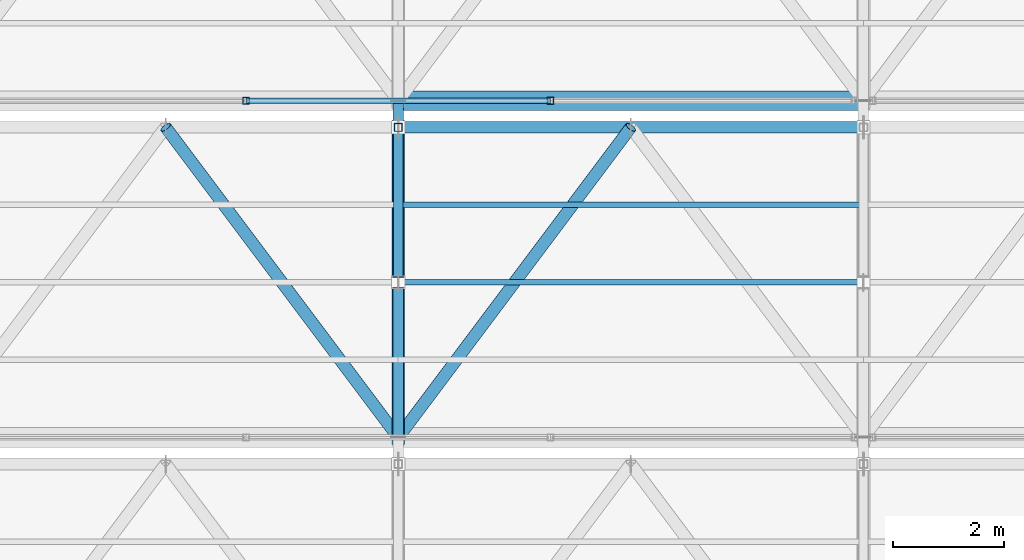
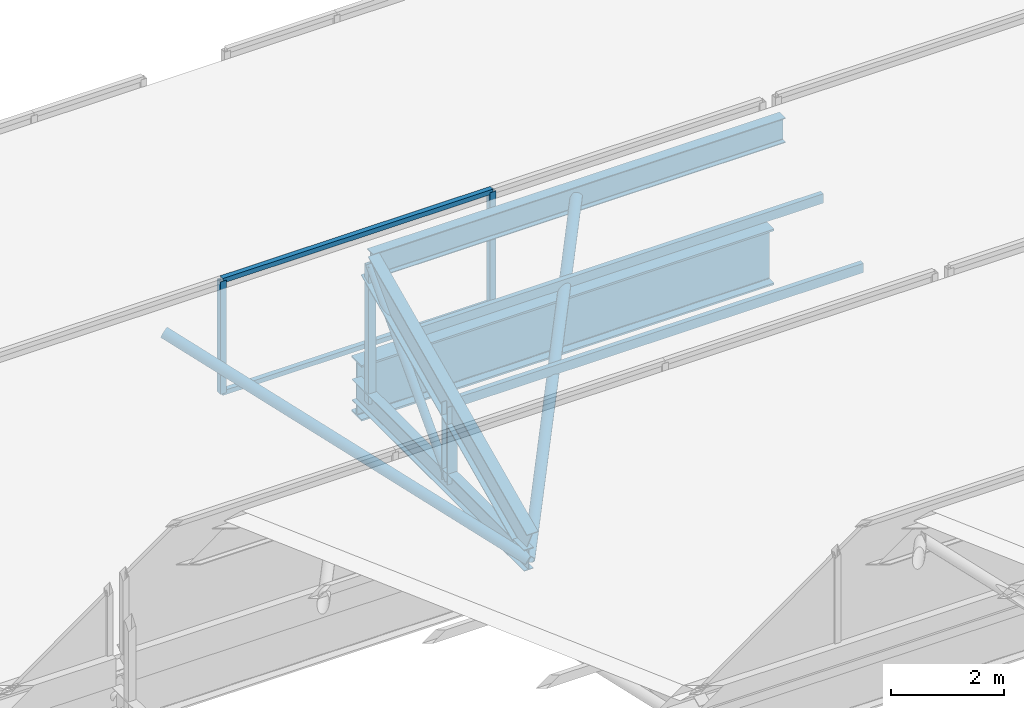
# One storey, part 110 of 217: 14 members, 1 beam, 1 element without a shape of its own.
"""IFC4 building model written with IfcOpenShell, lengths in metres."""

import ifcopenshell
import ifcopenshell.guid

model = None  # the IFC model being written
_history = None  # IfcOwnerHistory: only IFC2X3 demands one
_inside = {}  # id of a spatial element -> (the spatial element, [elements in it])
_under = {}  # id of a project, library or spatial element -> (it, [spatial elements below it])
_declared = {}  # id of a project -> (the project, [libraries it declares])
_typed = {}  # id of a type object -> (the type object, [elements of that type])
_made_of = {}  # id of a material, layer set ... -> (it, [elements and type objects made of it])


def new_model(schema):
    """Start an empty IFC model of exactly this schema.

    Asked for "IFC4X3", IfcOpenShell would pick the latest addendum, in which some entities
    have other attributes; the version numbers below select the first issue.
    IFC2X3 requires an IfcOwnerHistory on every rooted entity: one is made here for all.
    """
    global model, _history
    if schema == "IFC4X3":
        model = ifcopenshell.file(schema_version=(4, 3, 0, 0))
    else:
        model = ifcopenshell.file(schema=schema)
    _inside.clear()
    _under.clear()
    _declared.clear()
    _typed.clear()
    _made_of.clear()
    _history = None
    if model.schema == "IFC2X3":
        org = make("IfcOrganization", Name="unknown")
        user = make(
            "IfcPersonAndOrganization",
            ThePerson=make("IfcPerson", FamilyName="unknown"),
            TheOrganization=org,
        )
        app = make(
            "IfcApplication",
            ApplicationDeveloper=org,
            Version="unknown",
            ApplicationFullName="unknown",
            ApplicationIdentifier="unknown",
        )
        _history = make(
            "IfcOwnerHistory",
            OwningUser=user,
            OwningApplication=app,
            ChangeAction="ADDED",
            CreationDate=0,
        )
    return model


def make(cls, **values):
    """One entity of the class cls with the attributes given. An attribute that is None is left unset."""
    return model.create_entity(
        cls, **{name: value for name, value in values.items() if value is not None}
    )


def rooted(cls, **values):
    """An entity with a GlobalId (a new one), such as an element, a storey or a relation."""
    return make(cls, GlobalId=ifcopenshell.guid.new(), OwnerHistory=_history, **values)


def si_unit(unit_type, name, prefix=None):
    """IfcSIUnit, for example si_unit("LENGTHUNIT", "METRE", prefix="MILLI")."""
    return make("IfcSIUnit", UnitType=unit_type, Prefix=prefix, Name=name)


def assignment(units):
    """IfcUnitAssignment: the units of a project."""
    return None if units is None else make("IfcUnitAssignment", Units=units)


def point(xyz):
    """IfcCartesianPoint."""
    return None if xyz is None else make("IfcCartesianPoint", Coordinates=xyz)


def direction(xyz):
    """IfcDirection."""
    return None if xyz is None else make("IfcDirection", DirectionRatios=xyz)


def frame(location, z_axis=None, x_axis=None):
    """IfcAxis2Placement3D, a coordinate frame: its origin and axes. An axis left out is left unset."""
    return make(
        "IfcAxis2Placement3D",
        Location=point(location),
        Axis=direction(z_axis),
        RefDirection=direction(x_axis),
    )


def frame_2d(location, x_axis=None):
    """IfcAxis2Placement2D, a coordinate frame in the plane: its origin and x axis."""
    return make(
        "IfcAxis2Placement2D", Location=point(location), RefDirection=direction(x_axis)
    )


def origin():
    """The frame at (0, 0, 0) with its axes left unset."""
    return frame((0.0, 0.0, 0.0))


def origin_2d():
    """The frame at (0, 0) in the plane with its x axis left unset."""
    return frame_2d((0.0, 0.0))


def place(relative_to, where):
    """IfcLocalPlacement: puts the frame where relative to a parent placement (None: the world)."""
    return make(
        "IfcLocalPlacement", PlacementRelTo=relative_to, RelativePlacement=where
    )


def context(
    kind, dimensions, precision=None, world=None, true_north=None, identifier=None
):
    """IfcGeometricRepresentationContext, for example the 3D "Model" context."""
    return make(
        "IfcGeometricRepresentationContext",
        ContextIdentifier=identifier,
        ContextType=kind,
        CoordinateSpaceDimension=dimensions,
        Precision=precision,
        WorldCoordinateSystem=world,
        TrueNorth=true_north,
    )


def subcontext(parent, identifier, kind, view, scale=None):
    """IfcGeometricRepresentationSubContext, for example "Body" below "Model"."""
    return make(
        "IfcGeometricRepresentationSubContext",
        ContextIdentifier=identifier,
        ContextType=kind,
        ParentContext=parent,
        TargetScale=scale,
        TargetView=view,
    )


def project(units=None, contexts=None):
    """IfcProject with its units and contexts."""
    return rooted(
        "IfcProject",
        Name="project",
        RepresentationContexts=contexts,
        UnitsInContext=assignment(units),
    )


def spatial(cls, under=None, at=None, **own):
    """A site, building, storey or space (cls), placed at a placement, below another one or the project."""
    s = rooted(cls, ObjectPlacement=at, **own)
    if under is not None:
        _under.setdefault(under.id(), (under, []))[1].append(s)
    return s


def profile(cls, at=None, kind="AREA", **sizes):
    """A parametric profile (cls). Its sizes go by their IFC names, for example OverallWidth=200.0."""
    return make(cls, ProfileType=kind, Position=at, **sizes)


def hollow_rectangle(**sizes):
    """IfcRectangleHollowProfileDef."""
    return profile("IfcRectangleHollowProfileDef", **sizes)


def hollow_circle(**sizes):
    """IfcCircleHollowProfileDef."""
    return profile("IfcCircleHollowProfileDef", **sizes)


def i_section(**sizes):
    """IfcIShapeProfileDef."""
    return profile("IfcIShapeProfileDef", **sizes)


def extrude(swept, where, along, depth):
    """IfcExtrudedAreaSolid: the profile swept, set in the frame where, extruded along a direction by depth."""
    return make(
        "IfcExtrudedAreaSolid",
        SweptArea=swept,
        Position=where,
        ExtrudedDirection=direction(along),
        Depth=depth,
    )


def shape(context_of_items, identifier, shape_type, items):
    """IfcShapeRepresentation: the items that make up one representation, for example the "Body"."""
    return make(
        "IfcShapeRepresentation",
        ContextOfItems=context_of_items,
        RepresentationIdentifier=identifier,
        RepresentationType=shape_type,
        Items=items,
    )


def material(Name=None, Category=None):
    """IfcMaterial."""
    return make("IfcMaterial", Name=Name, Category=Category)


def material_profile(
    of_material, cross_section, Name=None, Category=None, Priority=None
):
    """IfcMaterialProfile: a cross section and its material."""
    return make(
        "IfcMaterialProfile",
        Name=Name,
        Material=of_material,
        Profile=cross_section,
        Priority=Priority,
        Category=Category,
    )


def profile_set(profiles, Name=None, composite=None):
    """IfcMaterialProfileSet."""
    return make(
        "IfcMaterialProfileSet",
        Name=Name,
        MaterialProfiles=profiles,
        CompositeProfile=composite,
    )


def made_of(thing, what):
    """Note that an element or type object is made of a material, layer set ...; save() writes the relation."""
    if what is not None:
        _made_of.setdefault(what.id(), (what, []))[1].append(thing)
    return thing


def type_object(cls, material=None, **own):
    """A type object (cls), such as IfcWallType, which elements share."""
    return made_of(rooted(cls, **own), material)


def element(
    cls,
    number,
    at=None,
    inside=None,
    cuts=None,
    type_object=None,
    material=None,
    context=None,
    identifier="Body",
    shape_type=None,
    held_by="IfcProductDefinitionShape",
    body=None,
    shapes=None,
    **own,
):
    """One element of the class cls, such as IfcWall. Its Tag is "e" and its number.

    at: its placement. inside: the storey or other place that contains it. cuts: it is an
    opening in that element (IfcRelVoidsElement). A single representation is given by context,
    identifier, shape_type and body (its items); several are given by shapes. held_by: the class
    of the entity that holds the representations. save() writes the other relations.
    """
    e = rooted(cls, Tag="e%d" % number, ObjectPlacement=at, **own)
    if body is not None:
        shapes = [shape(context, identifier, shape_type, body)]
    if shapes is not None:
        e.Representation = make(held_by, Representations=shapes)
    if inside is not None:
        _inside.setdefault(inside.id(), (inside, []))[1].append(e)
    if cuts is not None:
        rooted(
            "IfcRelVoidsElement", RelatingBuildingElement=cuts, RelatedOpeningElement=e
        )
    if type_object is not None:
        _typed.setdefault(type_object.id(), (type_object, []))[1].append(e)
    return made_of(e, material)


def aggregate(whole, parts):
    """IfcRelAggregates: a whole, such as a stair, and the parts it consists of."""
    return rooted("IfcRelAggregates", RelatingObject=whole, RelatedObjects=parts)


def save(model, path):
    """Write the relations noted so far, then the file.

    IfcRelAggregates (storeys below a building ...), IfcRelContainedInSpatialStructure (elements
    in a storey), IfcRelDefinesByType, IfcRelAssociatesMaterial and IfcRelDeclares: one each for
    every whole, place, type object, material and project.
    """
    for whole, parts in _under.values():
        aggregate(whole, parts)
    for where, things in _inside.values():
        rooted(
            "IfcRelContainedInSpatialStructure",
            RelatedElements=things,
            RelatingStructure=where,
        )
    for kind, things in _typed.values():
        rooted("IfcRelDefinesByType", RelatedObjects=things, RelatingType=kind)
    for what, things in _made_of.values():
        rooted("IfcRelAssociatesMaterial", RelatedObjects=things, RelatingMaterial=what)
    for by, libraries in _declared.values():
        rooted("IfcRelDeclares", RelatingContext=by, RelatedDefinitions=libraries)
    model.write(path)


model = new_model("IFC4")

# Units and contexts
model_context = context("Model", 3, precision=1e-05, world=origin(), true_north=direction((0.0, 1.0)))
body_context = subcontext(model_context, "Body", "Model", "MODEL_VIEW")
ifc_project = project(units=[si_unit("LENGTHUNIT", "METRE"), si_unit("AREAUNIT", "SQUARE_METRE"), si_unit("VOLUMEUNIT", "CUBIC_METRE"), si_unit("PLANEANGLEUNIT", "RADIAN"), si_unit("MASSUNIT", "GRAM", prefix="KILO")], contexts=[model_context])

# Site, building, storey
site_placement = place(None, origin())
site = spatial("IfcSite", under=ifc_project, at=site_placement, CompositionType="ELEMENT")
building_placement = place(site_placement, origin())
building = spatial("IfcBuilding", under=site, at=building_placement, Name="Zuvorla Pavilion Media Centre", CompositionType="ELEMENT")
storey_placement = place(building_placement, frame((0.0, 0.0, 9.60009765625)))
storey = spatial("IfcBuildingStorey", under=building, at=storey_placement, Name="L02", CompositionType="ELEMENT", Elevation=9.60009765625)

# Beam
ifc_material_1 = material(Name="Steel S355", Category="steel")
ifc_material_profile_1 = material_profile(ifc_material_1, i_section(OverallWidth=0.360107421875, OverallDepth=1.199951171875, WebThickness=0.02001953125, FlangeThickness=0.0380859375, FilletRadius=0.02392578125, at=origin_2d()), Name="PG 1200x360x38")
ifc_profile_set_1 = profile_set([ifc_material_profile_1], Name="Steel S355")
beam_type = type_object("IfcBeamType", Name="BM-PG1200", PredefinedType="BEAM", material=ifc_profile_set_1)
beam_placement = place(storey_placement, frame((92.0, 113.919921875, -0.88818359375), z_axis=(1.0, 0.0, 0.0), x_axis=(0.0, 1.0, 0.0)))
element("IfcBeam", 1, at=beam_placement, inside=storey, type_object=beam_type, Name="L02 beam B01 1804", PredefinedType="BEAM", context=body_context, shape_type="SweptSolid", body=[
    extrude(i_section(OverallWidth=0.360107421875, OverallDepth=1.199951171875, WebThickness=0.02001953125, FlangeThickness=0.0380859375, FilletRadius=0.02392578125, at=origin_2d()), origin(), (0.0, 0.0, 1.0), 8.39990234375),
])

# Curtain wall, members
ifc_material_2 = material(Name="Unitised anodised aluminium and solar glass curtain wall", Category="aluminium")
curtain_wall_type = type_object("IfcCurtainWallType", Name="CW-SYS-88", PredefinedType="USERDEFINED", material=ifc_material_2)
curtain_wall_placement = place(storey_placement, origin())
curtain_wall = element("IfcCurtainWall", 2, at=curtain_wall_placement, inside=storey, type_object=curtain_wall_type, Name="L02 curtain wall CW88 213", ObjectType="CURTAIN WALL", PredefinedType="USERDEFINED")
ifc_material_3 = material(Name="Anodised aluminium 6063-T6", Category="aluminium")
ifc_material_profile_2 = material_profile(ifc_material_3, hollow_rectangle(XDim=0.1201171875, YDim=0.1201171875, WallThickness=0.0048828125, at=origin_2d()), Name="ALU MULL 120x120")
ifc_profile_set_2 = profile_set([ifc_material_profile_2], Name="Anodised aluminium 6063-T6")
member_type_1 = type_object("IfcMemberType", Name="CW-MULL-120", PredefinedType="MULLION", material=ifc_profile_set_2)
member_1_placement = place(storey_placement, frame((89.25341796875, 113.919921875, 0.0), z_axis=(0.0, 0.0, 1.0), x_axis=(1.0, 0.0, 0.0)))
member_1 = element("IfcMember", 3, at=member_1_placement, type_object=member_type_1, Name="CW88 mullion 2", PredefinedType="MULLION", context=body_context, shape_type="SweptSolid", body=[
    extrude(hollow_rectangle(XDim=0.1201171875, YDim=0.1201171875, WallThickness=0.0048828125, at=origin_2d()), origin(), (0.0, 0.0, 1.0), 2.419921875),
])
member_2_placement = place(storey_placement, frame((94.74658203125, 113.919921875, 0.0), z_axis=(0.0, 0.0, 1.0), x_axis=(1.0, 0.0, 0.0)))
member_2 = element("IfcMember", 4, at=member_2_placement, type_object=member_type_1, Name="CW88 mullion 3", PredefinedType="MULLION", context=body_context, shape_type="SweptSolid", body=[
    extrude(hollow_rectangle(XDim=0.1201171875, YDim=0.1201171875, WallThickness=0.0048828125, at=origin_2d()), origin(), (0.0, 0.0, 1.0), 2.419921875),
])
ifc_material_profile_3 = material_profile(ifc_material_3, hollow_rectangle(XDim=0.10009765625, YDim=0.10009765625, WallThickness=0.00439453125, at=origin_2d()), Name="ALU TRAN 100x100")
ifc_profile_set_3 = profile_set([ifc_material_profile_3], Name="Anodised aluminium 6063-T6")
member_type_2 = type_object("IfcMemberType", Name="CW-TRAN-100", PredefinedType="USERDEFINED", material=ifc_profile_set_3)
member_3_placement = place(storey_placement, frame((89.25341796875, 113.919921875, 0.0), z_axis=(1.0, 0.0, 0.0), x_axis=(0.0, 1.0, 0.0)))
member_3 = element("IfcMember", 5, at=member_3_placement, type_object=member_type_2, Name="CW88 transom 2.1", ObjectType="TRANSOM", PredefinedType="USERDEFINED", context=body_context, shape_type="SweptSolid", body=[
    extrude(hollow_rectangle(XDim=0.10009765625, YDim=0.10009765625, WallThickness=0.00439453125, at=origin_2d()), origin(), (0.0, 0.0, 1.0), 5.4931640625),
])
member_4_placement = place(storey_placement, frame((89.25341796875, 113.919921875, 2.419921875), z_axis=(1.0, 0.0, 0.0), x_axis=(0.0, 1.0, 0.0)))
member_4 = element("IfcMember", 6, at=member_4_placement, type_object=member_type_2, Name="CW88 transom 2.2", ObjectType="TRANSOM", PredefinedType="USERDEFINED", context=body_context, shape_type="SweptSolid", body=[
    extrude(hollow_rectangle(XDim=0.10009765625, YDim=0.10009765625, WallThickness=0.00439453125, at=origin_2d()), origin(), (0.0, 0.0, 1.0), 5.4931640625),
])
aggregate(curtain_wall, [member_1, member_2, member_3, member_4])

# Members
ifc_material_profile_4 = material_profile(ifc_material_1, hollow_circle(Radius=0.084228515625, WallThickness=0.008056640625, at=origin_2d()), Name="CHS 168.3x8")
ifc_profile_set_4 = profile_set([ifc_material_profile_4], Name="Steel S355")
member_type_3 = type_object("IfcMemberType", Name="MEM-BRC-CHS168", PredefinedType="BRACE", material=ifc_profile_set_4)
member_5_placement = place(storey_placement, frame((92.0, 110.639892578125, -0.880126953125), z_axis=(0.0, 0.68676242614, 0.726881950555), x_axis=(-1.0, 0.0, 0.0)))
element("IfcMember", 7, at=member_5_placement, inside=storey, type_object=member_type_3, Name="L02 diagonal brace TB03 330", PredefinedType="BRACE", context=body_context, shape_type="SweptSolid", body=[
    extrude(hollow_circle(Radius=0.084228515625, WallThickness=0.008056640625, at=origin_2d()), origin(), (0.0, 0.0, 1.0), 4.0771484375),
])
ifc_material_profile_5 = material_profile(ifc_material_1, hollow_circle(Radius=0.109619140625, WallThickness=0.010009765625, at=origin_2d()), Name="CHS 219.1x10")
ifc_profile_set_5 = profile_set([ifc_material_profile_5], Name="Steel S355")
member_type_4 = type_object("IfcMemberType", Name="MEM-BRC-CHS219", PredefinedType="BRACE", material=ifc_profile_set_5)
for number, where, z_axis, x_axis, name in (
    (8, (87.800048828125, 113.43994140625, 2.08349609375), (0.552524670006, -0.736688854033, -0.389879495972), (0.799995814625, 0.600005580459, 0.0), "L02 diagonal brace TB02 371"),
    (9, (92.0, 107.840087890625, -0.880126953125), (0.552524670006, 0.736688854033, 0.389879495972), (-0.799995814625, 0.600005580459, 0.0), "L02 diagonal brace TB02 376"),
):
    element("IfcMember", number, at=place(storey_placement, frame(where, z_axis=z_axis, x_axis=x_axis)), inside=storey, type_object=member_type_4, Name=name, PredefinedType="BRACE", context=body_context, shape_type="SweptSolid", body=[
        extrude(hollow_circle(Radius=0.109619140625, WallThickness=0.010009765625, at=origin_2d()), origin(), (0.0, 0.0, 1.0), 7.601318359375),
    ])
ifc_material_profile_6 = material_profile(ifc_material_1, i_section(OverallWidth=0.19140625, OverallDepth=0.4599609375, WebThickness=0.010009765625, FlangeThickness=0.01611328125, FilletRadius=0.01025390625, at=origin_2d()), Name="UB 457x191x82")
ifc_profile_set_6 = profile_set([ifc_material_profile_6], Name="Steel S355")
member_type_5 = type_object("IfcMemberType", Name="MEM-CHD-UB457", PredefinedType="CHORD", material=ifc_profile_set_6)
member_6_placement = place(storey_placement, frame((92.0, 107.840087890625, -0.880126953125), z_axis=(0.0, 1.0, 0.0), x_axis=(-1.0, 0.0, 0.0)))
element("IfcMember", 10, at=member_6_placement, inside=storey, type_object=member_type_5, Name="L02 chord TC03 327", PredefinedType="CHORD", context=body_context, shape_type="SweptSolid", body=[
    extrude(i_section(OverallWidth=0.19140625, OverallDepth=0.4599609375, WebThickness=0.010009765625, FlangeThickness=0.01611328125, FilletRadius=0.01025390625, at=origin_2d()), origin(), (0.0, 0.0, 1.0), 6.079833984375),
])
ifc_material_profile_7 = material_profile(ifc_material_1, i_section(OverallWidth=0.2099609375, OverallDepth=0.53662109375, WebThickness=0.0107421875, FlangeThickness=0.017333984375, FilletRadius=0.0126953125, at=origin_2d()), Name="UB 533x210x101")
ifc_profile_set_7 = profile_set([ifc_material_profile_7], Name="Steel S355")
member_type_6 = type_object("IfcMemberType", Name="MEM-CHD-UB533", PredefinedType="CHORD", material=ifc_profile_set_7)
member_7_placement = place(storey_placement, frame((92.0, 113.43994140625, 2.08349609375), z_axis=(1.0, 0.0, 0.0), x_axis=(0.0, 1.0, 0.0)))
element("IfcMember", 11, at=member_7_placement, inside=storey, type_object=member_type_6, Name="L02 chord TC02 375", PredefinedType="CHORD", context=body_context, shape_type="SweptSolid", body=[
    extrude(i_section(OverallWidth=0.2099609375, OverallDepth=0.53662109375, WebThickness=0.0107421875, FlangeThickness=0.017333984375, FilletRadius=0.0126953125, at=origin_2d()), origin(), (0.0, 0.0, 1.0), 8.39990234375),
])
ifc_material_profile_8 = material_profile(ifc_material_1, i_section(OverallWidth=0.22900390625, OverallDepth=0.6123046875, WebThickness=0.011962890625, FlangeThickness=0.01953125, FilletRadius=0.0126953125, at=origin_2d()), Name="UB 610x229x125")
ifc_profile_set_8 = profile_set([ifc_material_profile_8], Name="Steel S355")
member_type_7 = type_object("IfcMemberType", Name="MEM-CHD-UB610", PredefinedType="CHORD", material=ifc_profile_set_8)
member_8_placement = place(storey_placement, frame((92.0, 107.840087890625, -0.5166015625), z_axis=(0.0, 0.906998718654, 0.421133380724), x_axis=(-1.0, 0.0, 0.0)))
element("IfcMember", 12, at=member_8_placement, inside=storey, type_object=member_type_7, Name="L02 chord TC01 328", PredefinedType="CHORD", context=body_context, shape_type="SweptSolid", body=[
    extrude(i_section(OverallWidth=0.22900390625, OverallDepth=0.6123046875, WebThickness=0.011962890625, FlangeThickness=0.01953125, FilletRadius=0.0126953125, at=origin_2d()), origin(), (0.0, 0.0, 1.0), 6.174072265625),
])
ifc_material_profile_9 = material_profile(ifc_material_1, hollow_rectangle(XDim=0.10009765625, YDim=0.199951171875, WallThickness=0.008056640625, at=origin_2d()), Name="RHS 200x100x8")
ifc_profile_set_9 = profile_set([ifc_material_profile_9], Name="Steel S355")
member_type_8 = type_object("IfcMemberType", Name="MEM-PUR-RHS200", PredefinedType="PURLIN", material=ifc_profile_set_9)
for number, where, z_axis, x_axis, name in (
    (13, (92.0, 110.639892578125, 0.783447265625), (1.0, 0.0, 0.0), (0.0, 1.0, 0.0), "L02 purlin PR01 379"),
    (14, (92.0, 112.0400390625, 1.43359375), (1.0, 0.0, 0.0), (0.0, 1.0, 0.0), "L02 purlin PR01 380"),
):
    element("IfcMember", number, at=place(storey_placement, frame(where, z_axis=z_axis, x_axis=x_axis)), inside=storey, type_object=member_type_8, Name=name, PredefinedType="PURLIN", context=body_context, shape_type="SweptSolid", body=[
        extrude(hollow_rectangle(XDim=0.10009765625, YDim=0.199951171875, WallThickness=0.008056640625, at=origin_2d()), origin(), (0.0, 0.0, 1.0), 8.39990234375),
    ])
ifc_material_profile_10 = material_profile(ifc_material_1, hollow_rectangle(XDim=0.14990234375, YDim=0.14990234375, WallThickness=0.008056640625, at=origin_2d()), Name="SHS 150x150x8")
ifc_profile_set_10 = profile_set([ifc_material_profile_10], Name="Steel S355")
member_type_9 = type_object("IfcMemberType", Name="MEM-STR-SHS150", PredefinedType="STRUT", material=ifc_profile_set_10)
member_9_placement = place(storey_placement, frame((92.0, 113.43994140625, -0.880126953125), z_axis=(0.0, 0.0, 1.0), x_axis=(1.0, 0.0, 0.0)))
element("IfcMember", 15, at=member_9_placement, inside=storey, type_object=member_type_9, Name="L02 vertical strut TS01 329", PredefinedType="STRUT", context=body_context, shape_type="SweptSolid", body=[
    extrude(hollow_rectangle(XDim=0.14990234375, YDim=0.14990234375, WallThickness=0.008056640625, at=origin_2d()), origin(), (0.0, 0.0, 1.0), 2.963623046875),
])
ifc_material_profile_11 = material_profile(ifc_material_1, i_section(OverallWidth=0.205810546875, OverallDepth=0.209716796875, WebThickness=0.009521484375, FlangeThickness=0.01416015625, FilletRadius=0.01025390625, at=origin_2d()), Name="UC 203x203x60")
ifc_profile_set_11 = profile_set([ifc_material_profile_11], Name="Steel S355")
member_type_10 = type_object("IfcMemberType", Name="MEM-STR-UC203", PredefinedType="STRUT", material=ifc_profile_set_11)
member_10_placement = place(storey_placement, frame((92.0, 110.639892578125, -0.880126953125), z_axis=(0.0, 0.0, 1.0), x_axis=(1.0, 0.0, 0.0)))
element("IfcMember", 16, at=member_10_placement, inside=storey, type_object=member_type_10, Name="L02 vertical strut TS02 331", PredefinedType="STRUT", context=body_context, shape_type="SweptSolid", body=[
    extrude(i_section(OverallWidth=0.205810546875, OverallDepth=0.209716796875, WebThickness=0.009521484375, FlangeThickness=0.01416015625, FilletRadius=0.01025390625, at=origin_2d()), origin(), (0.0, 0.0, 1.0), 1.66357421875),
])

save(model, "model.ifc")
